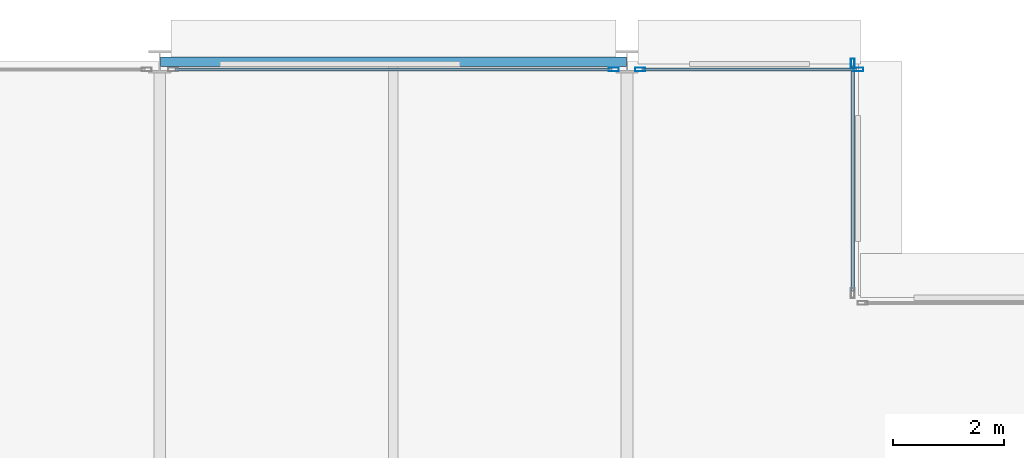
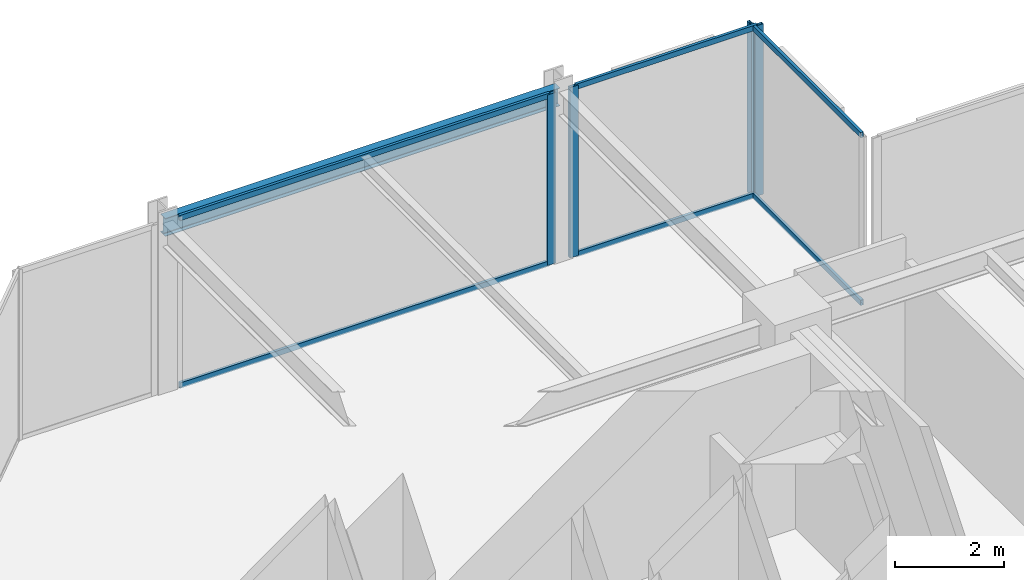
# One storey, part 22 of 30: 10 members, 1 beam, 3 elements without a shape of their own.
"""IFC4 building model written with IfcOpenShell, lengths in metres."""

import ifcopenshell
import ifcopenshell.guid

model = None  # the IFC model being written
_history = None  # IfcOwnerHistory: only IFC2X3 demands one
_inside = {}  # id of a spatial element -> (the spatial element, [elements in it])
_under = {}  # id of a project, library or spatial element -> (it, [spatial elements below it])
_declared = {}  # id of a project -> (the project, [libraries it declares])
_typed = {}  # id of a type object -> (the type object, [elements of that type])
_made_of = {}  # id of a material, layer set ... -> (it, [elements and type objects made of it])


def new_model(schema):
    """Start an empty IFC model of exactly this schema.

    Asked for "IFC4X3", IfcOpenShell would pick the latest addendum, in which some entities
    have other attributes; the version numbers below select the first issue.
    IFC2X3 requires an IfcOwnerHistory on every rooted entity: one is made here for all.
    """
    global model, _history
    if schema == "IFC4X3":
        model = ifcopenshell.file(schema_version=(4, 3, 0, 0))
    else:
        model = ifcopenshell.file(schema=schema)
    _inside.clear()
    _under.clear()
    _declared.clear()
    _typed.clear()
    _made_of.clear()
    _history = None
    if model.schema == "IFC2X3":
        org = make("IfcOrganization", Name="unknown")
        user = make(
            "IfcPersonAndOrganization",
            ThePerson=make("IfcPerson", FamilyName="unknown"),
            TheOrganization=org,
        )
        app = make(
            "IfcApplication",
            ApplicationDeveloper=org,
            Version="unknown",
            ApplicationFullName="unknown",
            ApplicationIdentifier="unknown",
        )
        _history = make(
            "IfcOwnerHistory",
            OwningUser=user,
            OwningApplication=app,
            ChangeAction="ADDED",
            CreationDate=0,
        )
    return model


def make(cls, **values):
    """One entity of the class cls with the attributes given. An attribute that is None is left unset."""
    return model.create_entity(
        cls, **{name: value for name, value in values.items() if value is not None}
    )


def rooted(cls, **values):
    """An entity with a GlobalId (a new one), such as an element, a storey or a relation."""
    return make(cls, GlobalId=ifcopenshell.guid.new(), OwnerHistory=_history, **values)


def si_unit(unit_type, name, prefix=None):
    """IfcSIUnit, for example si_unit("LENGTHUNIT", "METRE", prefix="MILLI")."""
    return make("IfcSIUnit", UnitType=unit_type, Prefix=prefix, Name=name)


def assignment(units):
    """IfcUnitAssignment: the units of a project."""
    return None if units is None else make("IfcUnitAssignment", Units=units)


def point(xyz):
    """IfcCartesianPoint."""
    return None if xyz is None else make("IfcCartesianPoint", Coordinates=xyz)


def direction(xyz):
    """IfcDirection."""
    return None if xyz is None else make("IfcDirection", DirectionRatios=xyz)


def frame(location, z_axis=None, x_axis=None):
    """IfcAxis2Placement3D, a coordinate frame: its origin and axes. An axis left out is left unset."""
    return make(
        "IfcAxis2Placement3D",
        Location=point(location),
        Axis=direction(z_axis),
        RefDirection=direction(x_axis),
    )


def frame_2d(location, x_axis=None):
    """IfcAxis2Placement2D, a coordinate frame in the plane: its origin and x axis."""
    return make(
        "IfcAxis2Placement2D", Location=point(location), RefDirection=direction(x_axis)
    )


def origin():
    """The frame at (0, 0, 0) with its axes left unset."""
    return frame((0.0, 0.0, 0.0))


def origin_2d():
    """The frame at (0, 0) in the plane with its x axis left unset."""
    return frame_2d((0.0, 0.0))


def place(relative_to, where):
    """IfcLocalPlacement: puts the frame where relative to a parent placement (None: the world)."""
    return make(
        "IfcLocalPlacement", PlacementRelTo=relative_to, RelativePlacement=where
    )


def context(
    kind, dimensions, precision=None, world=None, true_north=None, identifier=None
):
    """IfcGeometricRepresentationContext, for example the 3D "Model" context."""
    return make(
        "IfcGeometricRepresentationContext",
        ContextIdentifier=identifier,
        ContextType=kind,
        CoordinateSpaceDimension=dimensions,
        Precision=precision,
        WorldCoordinateSystem=world,
        TrueNorth=true_north,
    )


def subcontext(parent, identifier, kind, view, scale=None):
    """IfcGeometricRepresentationSubContext, for example "Body" below "Model"."""
    return make(
        "IfcGeometricRepresentationSubContext",
        ContextIdentifier=identifier,
        ContextType=kind,
        ParentContext=parent,
        TargetScale=scale,
        TargetView=view,
    )


def project(units=None, contexts=None):
    """IfcProject with its units and contexts."""
    return rooted(
        "IfcProject",
        Name="project",
        RepresentationContexts=contexts,
        UnitsInContext=assignment(units),
    )


def spatial(cls, under=None, at=None, **own):
    """A site, building, storey or space (cls), placed at a placement, below another one or the project."""
    s = rooted(cls, ObjectPlacement=at, **own)
    if under is not None:
        _under.setdefault(under.id(), (under, []))[1].append(s)
    return s


def profile(cls, at=None, kind="AREA", **sizes):
    """A parametric profile (cls). Its sizes go by their IFC names, for example OverallWidth=200.0."""
    return make(cls, ProfileType=kind, Position=at, **sizes)


def hollow_rectangle(**sizes):
    """IfcRectangleHollowProfileDef."""
    return profile("IfcRectangleHollowProfileDef", **sizes)


def i_section(**sizes):
    """IfcIShapeProfileDef."""
    return profile("IfcIShapeProfileDef", **sizes)


def extrude(swept, where, along, depth):
    """IfcExtrudedAreaSolid: the profile swept, set in the frame where, extruded along a direction by depth."""
    return make(
        "IfcExtrudedAreaSolid",
        SweptArea=swept,
        Position=where,
        ExtrudedDirection=direction(along),
        Depth=depth,
    )


def shape(context_of_items, identifier, shape_type, items):
    """IfcShapeRepresentation: the items that make up one representation, for example the "Body"."""
    return make(
        "IfcShapeRepresentation",
        ContextOfItems=context_of_items,
        RepresentationIdentifier=identifier,
        RepresentationType=shape_type,
        Items=items,
    )


def material(Name=None, Category=None):
    """IfcMaterial."""
    return make("IfcMaterial", Name=Name, Category=Category)


def layer(
    of_material, thickness, ventilated=None, Name=None, Category=None, Priority=None
):
    """IfcMaterialLayer: one layer of a wall or slab, of a material (None: an air gap)."""
    return make(
        "IfcMaterialLayer",
        Material=of_material,
        LayerThickness=thickness,
        IsVentilated=ventilated,
        Name=Name,
        Category=Category,
        Priority=Priority,
    )


def layer_set(layers, Name=None):
    """IfcMaterialLayerSet."""
    return make("IfcMaterialLayerSet", MaterialLayers=layers, LayerSetName=Name)


def material_profile(
    of_material, cross_section, Name=None, Category=None, Priority=None
):
    """IfcMaterialProfile: a cross section and its material."""
    return make(
        "IfcMaterialProfile",
        Name=Name,
        Material=of_material,
        Profile=cross_section,
        Priority=Priority,
        Category=Category,
    )


def profile_set(profiles, Name=None, composite=None):
    """IfcMaterialProfileSet."""
    return make(
        "IfcMaterialProfileSet",
        Name=Name,
        MaterialProfiles=profiles,
        CompositeProfile=composite,
    )


def made_of(thing, what):
    """Note that an element or type object is made of a material, layer set ...; save() writes the relation."""
    if what is not None:
        _made_of.setdefault(what.id(), (what, []))[1].append(thing)
    return thing


def type_object(cls, material=None, **own):
    """A type object (cls), such as IfcWallType, which elements share."""
    return made_of(rooted(cls, **own), material)


def element(
    cls,
    number,
    at=None,
    inside=None,
    cuts=None,
    type_object=None,
    material=None,
    context=None,
    identifier="Body",
    shape_type=None,
    held_by="IfcProductDefinitionShape",
    body=None,
    shapes=None,
    **own,
):
    """One element of the class cls, such as IfcWall. Its Tag is "e" and its number.

    at: its placement. inside: the storey or other place that contains it. cuts: it is an
    opening in that element (IfcRelVoidsElement). A single representation is given by context,
    identifier, shape_type and body (its items); several are given by shapes. held_by: the class
    of the entity that holds the representations. save() writes the other relations.
    """
    e = rooted(cls, Tag="e%d" % number, ObjectPlacement=at, **own)
    if body is not None:
        shapes = [shape(context, identifier, shape_type, body)]
    if shapes is not None:
        e.Representation = make(held_by, Representations=shapes)
    if inside is not None:
        _inside.setdefault(inside.id(), (inside, []))[1].append(e)
    if cuts is not None:
        rooted(
            "IfcRelVoidsElement", RelatingBuildingElement=cuts, RelatedOpeningElement=e
        )
    if type_object is not None:
        _typed.setdefault(type_object.id(), (type_object, []))[1].append(e)
    return made_of(e, material)


def aggregate(whole, parts):
    """IfcRelAggregates: a whole, such as a stair, and the parts it consists of."""
    return rooted("IfcRelAggregates", RelatingObject=whole, RelatedObjects=parts)


def save(model, path):
    """Write the relations noted so far, then the file.

    IfcRelAggregates (storeys below a building ...), IfcRelContainedInSpatialStructure (elements
    in a storey), IfcRelDefinesByType, IfcRelAssociatesMaterial and IfcRelDeclares: one each for
    every whole, place, type object, material and project.
    """
    for whole, parts in _under.values():
        aggregate(whole, parts)
    for where, things in _inside.values():
        rooted(
            "IfcRelContainedInSpatialStructure",
            RelatedElements=things,
            RelatingStructure=where,
        )
    for kind, things in _typed.values():
        rooted("IfcRelDefinesByType", RelatedObjects=things, RelatingType=kind)
    for what, things in _made_of.values():
        rooted("IfcRelAssociatesMaterial", RelatedObjects=things, RelatingMaterial=what)
    for by, libraries in _declared.values():
        rooted("IfcRelDeclares", RelatingContext=by, RelatedDefinitions=libraries)
    model.write(path)


model = new_model("IFC4")

# Units and contexts
model_context = context("Model", 3, precision=1e-05, world=origin(), true_north=direction((0.0, 1.0)))
body_context = subcontext(model_context, "Body", "Model", "MODEL_VIEW")
ifc_project = project(units=[si_unit("LENGTHUNIT", "METRE"), si_unit("AREAUNIT", "SQUARE_METRE"), si_unit("VOLUMEUNIT", "CUBIC_METRE"), si_unit("PLANEANGLEUNIT", "RADIAN"), si_unit("MASSUNIT", "GRAM", prefix="KILO")], contexts=[model_context])

# Site, building, storey
site_placement = place(None, origin())
site = spatial("IfcSite", under=ifc_project, at=site_placement, CompositionType="ELEMENT")
building_placement = place(site_placement, origin())
building = spatial("IfcBuilding", under=site, at=building_placement, Name="Nerrivon Quay Data Exchange", CompositionType="ELEMENT")
storey_placement = place(building_placement, frame((0.0, 0.0, 129.5)))
storey = spatial("IfcBuildingStorey", under=building, at=storey_placement, Name="L30", CompositionType="ELEMENT", Elevation=129.5)

# Beam
ifc_material_1 = material(Name="Steel Grade 350", Category="steel")
ifc_material_profile_1 = material_profile(ifc_material_1, i_section(OverallWidth=0.177978515625, OverallDepth=0.403076171875, WebThickness=0.007568359375, FlangeThickness=0.010986328125, FilletRadius=0.011474609375, at=origin_2d()), Name="410UB53.7")
ifc_profile_set_1 = profile_set([ifc_material_profile_1], Name="Steel Grade 350")
beam_type = type_object("IfcBeamType", Name="BM-SP2-410UB54", PredefinedType="SPANDREL", material=ifc_profile_set_1)
beam_placement = place(storey_placement, frame((8.41259765625, 50.39990234375, 3.62353515625), z_axis=(1.0, 0.0, 0.0), x_axis=(0.0, 1.0, 0.0)))
element("IfcBeam", 1, at=beam_placement, inside=storey, type_object=beam_type, Name="L30 EW Girder Y=50.4 (8.4..16.8)", PredefinedType="SPANDREL", context=body_context, shape_type="SweptSolid", body=[
    extrude(i_section(OverallWidth=0.177978515625, OverallDepth=0.403076171875, WebThickness=0.007568359375, FlangeThickness=0.010986328125, FilletRadius=0.011474609375, at=origin_2d()), origin(), (0.0, 0.0, 1.0), 8.375),
])

# Curtain wall, member
ifc_material_2 = material(Name="Anodised aluminium 6063-T6", Category="aluminium")
ifc_layer = layer(ifc_material_2, 0.2099609375)
ifc_layer_set = layer_set([ifc_layer], Name="Anodised aluminium 6063-T6")
curtain_wall_type = type_object("IfcCurtainWallType", Name="CW-SYS-02", PredefinedType="NOTDEFINED", material=ifc_layer_set)
curtain_wall_1_placement = place(storey_placement, origin())
curtain_wall_1 = element("IfcCurtainWall", 2, at=curtain_wall_1_placement, inside=storey, type_object=curtain_wall_type, Name="L30 Unitised Curtain Wall 19", PredefinedType="NOTDEFINED")
ifc_material_profile_2 = material_profile(ifc_material_2, hollow_rectangle(XDim=0.06494140625, YDim=0.179931640625, WallThickness=0.00341796875, at=origin_2d()), Name="ALU-MULL-180x65")
ifc_profile_set_2 = profile_set([ifc_material_profile_2], Name="Anodised aluminium 6063-T6")
member_type_1 = type_object("IfcMemberType", Name="CWM-180x65", PredefinedType="MULLION", material=ifc_profile_set_2)
member_1_placement = place(storey_placement, frame((16.5625, 50.260009765625, 0.0), z_axis=(0.0, 0.0, 1.0), x_axis=(0.0, 1.0, 0.0)))
member_1 = element("IfcMember", 3, at=member_1_placement, type_object=member_type_1, Name="CW02 mullion 2", PredefinedType="MULLION", context=body_context, shape_type="SweptSolid", body=[
    extrude(hollow_rectangle(XDim=0.06494140625, YDim=0.179931640625, WallThickness=0.00341796875, at=origin_2d()), origin(), (0.0, 0.0, 1.0), 3.824951171875),
])

# Curtain wall, members
curtain_wall_2_placement = place(storey_placement, origin())
curtain_wall_2 = element("IfcCurtainWall", 4, at=curtain_wall_2_placement, inside=storey, type_object=curtain_wall_type, Name="L30 Unitised Curtain Wall 20", PredefinedType="NOTDEFINED")
member_2_placement = place(storey_placement, frame((17.03759765625, 50.260009765625, 0.0), z_axis=(0.0, 0.0, 1.0), x_axis=(0.0, 1.0, 0.0)))
member_2 = element("IfcMember", 5, at=member_2_placement, type_object=member_type_1, Name="CW02 mullion 1", PredefinedType="MULLION", context=body_context, shape_type="SweptSolid", body=[
    extrude(hollow_rectangle(XDim=0.06494140625, YDim=0.179931640625, WallThickness=0.00341796875, at=origin_2d()), origin(), (0.0, 0.0, 1.0), 3.824951171875),
])
member_3_placement = place(storey_placement, frame((20.96240234375, 50.260009765625, 0.0), z_axis=(0.0, 0.0, 1.0), x_axis=(0.0, 1.0, 0.0)))
member_3 = element("IfcMember", 6, at=member_3_placement, type_object=member_type_1, Name="CW02 mullion 2", PredefinedType="MULLION", context=body_context, shape_type="SweptSolid", body=[
    extrude(hollow_rectangle(XDim=0.06494140625, YDim=0.179931640625, WallThickness=0.00341796875, at=origin_2d()), origin(), (0.0, 0.0, 1.0), 3.824951171875),
])

# Curtain wall, member
curtain_wall_3_placement = place(storey_placement, origin())
curtain_wall_3 = element("IfcCurtainWall", 7, at=curtain_wall_3_placement, inside=storey, type_object=curtain_wall_type, Name="L30 Unitised Curtain Wall 21", PredefinedType="NOTDEFINED")
member_4_placement = place(storey_placement, frame((20.860107421875, 50.362548828125, 0.0), z_axis=(0.0, 0.0, 1.0), x_axis=(1.0, 0.0, 0.0)))
member_4 = element("IfcMember", 8, at=member_4_placement, type_object=member_type_1, Name="CW02 mullion 1", PredefinedType="MULLION", context=body_context, shape_type="SweptSolid", body=[
    extrude(hollow_rectangle(XDim=0.06494140625, YDim=0.179931640625, WallThickness=0.00341796875, at=origin_2d()), origin(), (0.0, 0.0, 1.0), 3.824951171875),
])

# Member
ifc_material_profile_3 = material_profile(ifc_material_2, hollow_rectangle(XDim=0.06005859375, YDim=0.1201171875, WallThickness=0.003173828125, at=origin_2d()), Name="ALU-TRAN-120x60")
ifc_profile_set_3 = profile_set([ifc_material_profile_3], Name="Anodised aluminium 6063-T6")
member_type_2 = type_object("IfcMemberType", Name="CWT-120x60", PredefinedType="USERDEFINED", material=ifc_profile_set_3)
member_5_placement = place(storey_placement, frame((8.675048828125, 50.260009765625, 0.032470703125), z_axis=(1.0, 0.0, 0.0), x_axis=(0.0, 1.0, 0.0)))
member_5 = element("IfcMember", 9, at=member_5_placement, type_object=member_type_2, Name="CW02 transom 1.1", ObjectType="TRANSOM", PredefinedType="USERDEFINED", context=body_context, shape_type="SweptSolid", body=[
    extrude(hollow_rectangle(XDim=0.06005859375, YDim=0.1201171875, WallThickness=0.003173828125, at=origin_2d()), origin(), (0.0, 0.0, 1.0), 7.849853515625),
])

member_6_placement = place(storey_placement, frame((8.675048828125, 50.260009765625, 3.79248046875), z_axis=(1.0, 0.0, 0.0), x_axis=(0.0, 1.0, 0.0)))
member_6 = element("IfcMember", 10, at=member_6_placement, type_object=member_type_2, Name="CW02 transom 1.2", ObjectType="TRANSOM", PredefinedType="USERDEFINED", context=body_context, shape_type="SweptSolid", body=[
    extrude(hollow_rectangle(XDim=0.06005859375, YDim=0.1201171875, WallThickness=0.003173828125, at=origin_2d()), origin(), (0.0, 0.0, 1.0), 7.849853515625),
])

aggregate(curtain_wall_1, [member_1, member_5, member_6])

member_7_placement = place(storey_placement, frame((17.074951171875, 50.260009765625, 0.032470703125), z_axis=(1.0, 0.0, 0.0), x_axis=(0.0, 1.0, 0.0)))
member_7 = element("IfcMember", 11, at=member_7_placement, type_object=member_type_2, Name="CW02 transom 1.1", ObjectType="TRANSOM", PredefinedType="USERDEFINED", context=body_context, shape_type="SweptSolid", body=[
    extrude(hollow_rectangle(XDim=0.06005859375, YDim=0.1201171875, WallThickness=0.003173828125, at=origin_2d()), origin(), (0.0, 0.0, 1.0), 3.85009765625),
])

member_8_placement = place(storey_placement, frame((17.074951171875, 50.260009765625, 3.79248046875), z_axis=(1.0, 0.0, 0.0), x_axis=(0.0, 1.0, 0.0)))
member_8 = element("IfcMember", 12, at=member_8_placement, type_object=member_type_2, Name="CW02 transom 1.2", ObjectType="TRANSOM", PredefinedType="USERDEFINED", context=body_context, shape_type="SweptSolid", body=[
    extrude(hollow_rectangle(XDim=0.06005859375, YDim=0.1201171875, WallThickness=0.003173828125, at=origin_2d()), origin(), (0.0, 0.0, 1.0), 3.85009765625),
])

aggregate(curtain_wall_2, [member_2, member_3, member_7, member_8])

member_9_placement = place(storey_placement, frame((20.860107421875, 50.324951171875, 0.032470703125), z_axis=(0.0, -1.0, 0.0), x_axis=(1.0, 0.0, 0.0)))
member_9 = element("IfcMember", 13, at=member_9_placement, type_object=member_type_2, Name="CW02 transom 1.1", ObjectType="TRANSOM", PredefinedType="USERDEFINED", context=body_context, shape_type="SweptSolid", body=[
    extrude(hollow_rectangle(XDim=0.06005859375, YDim=0.1201171875, WallThickness=0.003173828125, at=origin_2d()), origin(), (0.0, 0.0, 1.0), 4.050048828125),
])

member_10_placement = place(storey_placement, frame((20.860107421875, 50.324951171875, 3.79248046875), z_axis=(0.0, -1.0, 0.0), x_axis=(1.0, 0.0, 0.0)))
member_10 = element("IfcMember", 14, at=member_10_placement, type_object=member_type_2, Name="CW02 transom 1.2", ObjectType="TRANSOM", PredefinedType="USERDEFINED", context=body_context, shape_type="SweptSolid", body=[
    extrude(hollow_rectangle(XDim=0.06005859375, YDim=0.1201171875, WallThickness=0.003173828125, at=origin_2d()), origin(), (0.0, 0.0, 1.0), 4.050048828125),
])

aggregate(curtain_wall_3, [member_4, member_9, member_10])

save(model, "model.ifc")
